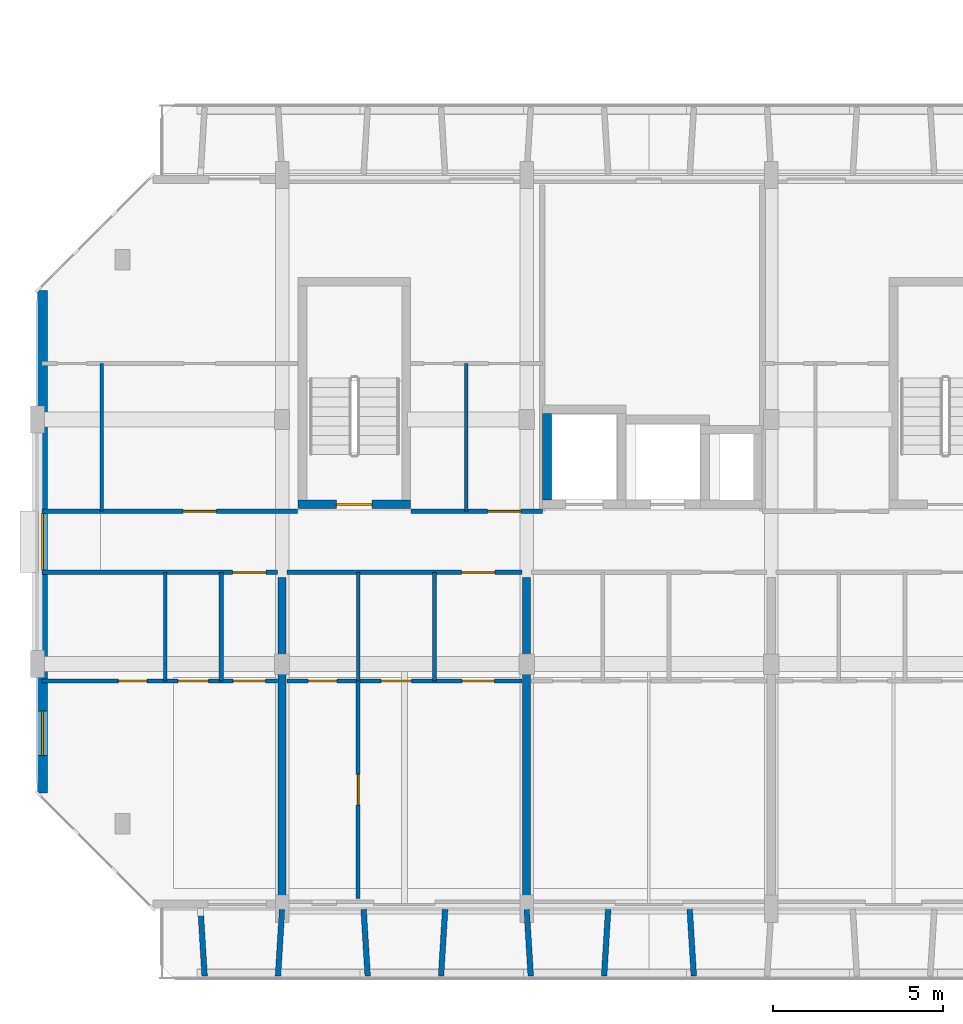
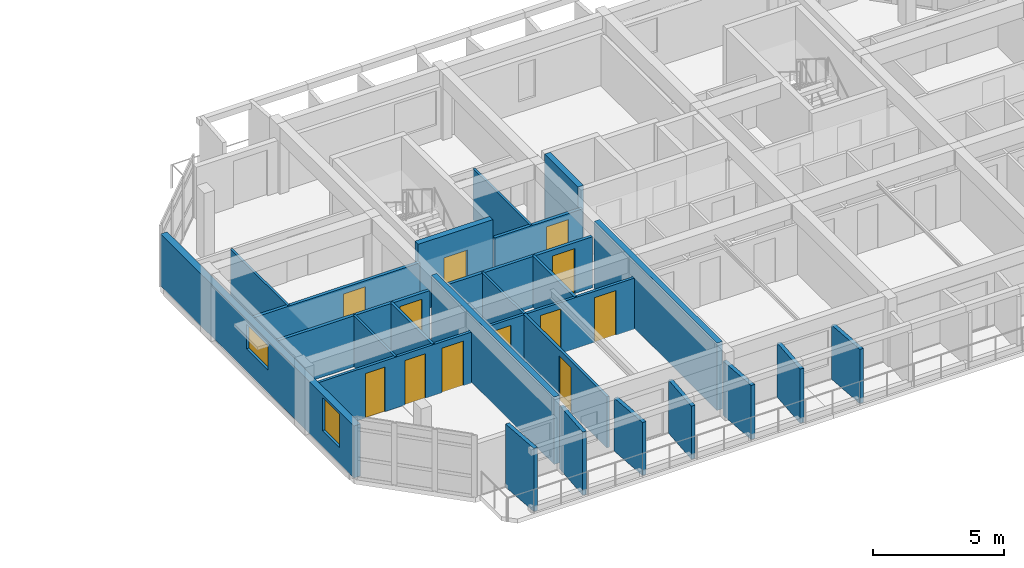
# One storey, part 15 of 44: 25 walls, 12 doors, 2 windows, 14 openings.
"""IFC4 building model written with IfcOpenShell, lengths in metres."""

from ifc_helpers import new_model, si_unit, direction, frame, frame_2d, origin, place, context, subcontext, project, spatial, rectangle, extrude, material, layer, layer_set, type_object, element, fill, save


model = new_model("IFC4")

# Units and contexts
model_context = context("Model", 3, precision=1e-05, world=origin(), true_north=direction((0.0, 1.0)))
body_context = subcontext(model_context, "Body", "Model", "MODEL_VIEW")
ifc_project = project(units=[si_unit("LENGTHUNIT", "METRE"), si_unit("AREAUNIT", "SQUARE_METRE"), si_unit("VOLUMEUNIT", "CUBIC_METRE"), si_unit("PLANEANGLEUNIT", "RADIAN"), si_unit("MASSUNIT", "GRAM", prefix="KILO")], contexts=[model_context])

# Site, building, storey
site_placement = place(None, origin())
site = spatial("IfcSite", under=ifc_project, at=site_placement, CompositionType="ELEMENT")
building_placement = place(site_placement, origin())
building = spatial("IfcBuilding", under=site, at=building_placement, Name="Ochrevale Crest", CompositionType="ELEMENT")
storey_placement = place(building_placement, frame((0.0, 0.0, 21.300048828125)))
storey = spatial("IfcBuildingStorey", under=building, at=storey_placement, Name="L06", CompositionType="ELEMENT", Elevation=21.300048828125)

# Wall, opening, door
ifc_material_1 = material(Name="Gypsum plasterboard", Category="gypsum")
ifc_layer_1 = layer(ifc_material_1, 0.139892578125)
ifc_layer_set_1 = layer_set([ifc_layer_1], Name="Gypsum plasterboard")
wall_type_1 = type_object("IfcWallType", Name="WL-COR-140", PredefinedType="PARTITIONING", material=ifc_layer_set_1)
wall_1_placement = place(storey_placement, frame((0.139892578125, 24.300048828125, 0.0), z_axis=(0.0, 0.0, 1.0), x_axis=(1.0, 0.0, 0.0)))
wall_1 = element("IfcWall", 1, at=wall_1_placement, inside=storey, type_object=wall_type_1, Name="Apartment A-L06-U1 corridor wall", PredefinedType="PARTITIONING", context=body_context, shape_type="SweptSolid", body=[
    extrude(rectangle(XDim=6.920166015625, YDim=0.139892578125, at=frame_2d((3.4599609375, 0.0))), origin(), (0.0, 0.0, 1.0), 2.3798828125),
])
opening_1_placement = place(wall_1_placement, frame((5.60498046875, 0.0, 0.0)))
opening_1 = element("IfcOpeningElement", 2, at=opening_1_placement, cuts=wall_1, Name="Opening FD01", PredefinedType="OPENING", context=body_context, shape_type="SweptSolid", body=[
    extrude(rectangle(XDim=0.97998046875, YDim=2.10009765625, at=frame_2d((0.489990234375, 1.050048828125))), frame((0.0, 0.080078125, 0.0), z_axis=(0.0, -1.0, 0.0), x_axis=(1.0, 0.0, 0.0)), (0.0, 0.0, 1.0), 0.159912109375),
])
ifc_material_2 = material(Name="Solid-core FSC hardwood", Category="wood")
door_type_1 = type_object("IfcDoorType", Name="DR-APT-950", OperationType="NOTDEFINED", PredefinedType="DOOR", material=ifc_material_2)
door_1_placement = place(opening_1_placement, origin())
door_1 = element("IfcDoor", 3, at=door_1_placement, inside=storey, type_object=door_type_1, Name="Apartment A-L06-U1 entrance door", OperationType="SINGLE_SWING_LEFT", OverallHeight=2.10009765625, OverallWidth=0.97998046875, PredefinedType="DOOR", context=body_context, shape_type="SweptSolid", body=[
    extrude(rectangle(XDim=0.97998046875, YDim=2.10009765625, at=frame_2d((0.489990234375, 1.050048828125))), frame((0.0, 0.02490234375, 0.0), z_axis=(0.0, -1.0, 0.0), x_axis=(1.0, 0.0, 0.0)), (0.0, 0.0, 1.0), 0.050048828125),
])
fill(opening_1, door_1)

wall_2_placement = place(storey_placement, frame((7.340087890625, 24.300048828125, 0.0), z_axis=(0.0, 0.0, 1.0), x_axis=(1.0, 0.0, 0.0)))
wall_2 = element("IfcWall", 4, at=wall_2_placement, inside=storey, type_object=wall_type_1, Name="Apartment A-L06-U2 corridor wall", PredefinedType="PARTITIONING", context=body_context, shape_type="SweptSolid", body=[
    extrude(rectangle(XDim=6.919921875, YDim=0.139892578125, at=frame_2d((3.4599609375, 0.0))), origin(), (0.0, 0.0, 1.0), 2.3798828125),
])
opening_2_placement = place(wall_2_placement, frame((5.14501953125, 0.0, 0.0)))
opening_2 = element("IfcOpeningElement", 5, at=opening_2_placement, cuts=wall_2, Name="Opening FD01", PredefinedType="OPENING", context=body_context, shape_type="SweptSolid", body=[
    extrude(rectangle(XDim=0.97998046875, YDim=2.10009765625, at=frame_2d((0.489990234375, 1.050048828125))), frame((0.0, 0.080078125, 0.0), z_axis=(0.0, -1.0, 0.0), x_axis=(1.0, 0.0, 0.0)), (0.0, 0.0, 1.0), 0.159912109375),
])
door_2_placement = place(opening_2_placement, origin())
door_2 = element("IfcDoor", 6, at=door_2_placement, inside=storey, type_object=door_type_1, Name="Apartment A-L06-U2 entrance door", OperationType="SINGLE_SWING_LEFT", OverallHeight=2.10009765625, OverallWidth=0.97998046875, PredefinedType="DOOR", context=body_context, shape_type="SweptSolid", body=[
    extrude(rectangle(XDim=0.97998046875, YDim=2.10009765625, at=frame_2d((0.489990234375, 1.050048828125))), frame((0.0, 0.02490234375, 0.0), z_axis=(0.0, -1.0, 0.0), x_axis=(1.0, 0.0, 0.0)), (0.0, 0.0, 1.0), 0.050048828125),
])
fill(opening_2, door_2)

wall_3_placement = place(storey_placement, frame((0.139892578125, 26.10009765625, 0.0), z_axis=(0.0, 0.0, 1.0), x_axis=(1.0, 0.0, 0.0)))
wall_3 = element("IfcWall", 7, at=wall_3_placement, inside=storey, type_object=wall_type_1, Name="Suite A-L06-CW corridor wall", PredefinedType="PARTITIONING", context=body_context, shape_type="SweptSolid", body=[
    extrude(rectangle(XDim=7.52001953125, YDim=0.139892578125, at=frame_2d((3.760009765625, 0.0))), origin(), (0.0, 0.0, 1.0), 2.3798828125),
])
opening_3_placement = place(wall_3_placement, frame((4.14501953125, 0.0, 0.0)))
opening_3 = element("IfcOpeningElement", 8, at=opening_3_placement, cuts=wall_3, Name="Opening FD01", PredefinedType="OPENING", context=body_context, shape_type="SweptSolid", body=[
    extrude(rectangle(XDim=0.97998046875, YDim=2.10009765625, at=frame_2d((0.489990234375, 1.050048828125))), frame((0.0, 0.080078125, 0.0), z_axis=(0.0, -1.0, 0.0), x_axis=(1.0, 0.0, 0.0)), (0.0, 0.0, 1.0), 0.159912109375),
])
door_3_placement = place(opening_3_placement, origin())
door_3 = element("IfcDoor", 9, at=door_3_placement, inside=storey, type_object=door_type_1, Name="Suite A-L06-CW entrance door", OperationType="SINGLE_SWING_LEFT", OverallHeight=2.10009765625, OverallWidth=0.97998046875, PredefinedType="DOOR", context=body_context, shape_type="SweptSolid", body=[
    extrude(rectangle(XDim=0.97998046875, YDim=2.10009765625, at=frame_2d((0.489990234375, 1.050048828125))), frame((0.0, 0.02490234375, 0.0), z_axis=(0.0, -1.0, 0.0), x_axis=(1.0, 0.0, 0.0)), (0.0, 0.0, 1.0), 0.050048828125),
])
fill(opening_3, door_3)

wall_4_placement = place(storey_placement, frame((10.989990234375, 26.10009765625, 0.0), z_axis=(0.0, 0.0, 1.0), x_axis=(1.0, 0.0, 0.0)))
wall_4 = element("IfcWall", 10, at=wall_4_placement, inside=storey, type_object=wall_type_1, Name="Suite A-L06-MW corridor wall", PredefinedType="PARTITIONING", context=body_context, shape_type="SweptSolid", body=[
    extrude(rectangle(XDim=3.8701171875, YDim=0.139892578125, at=frame_2d((1.93505859375, 0.0))), origin(), (0.0, 0.0, 1.0), 2.3798828125),
])
opening_4_placement = place(wall_4_placement, frame((3.23779296875, 0.0, 0.0), z_axis=(0.0, 0.0, 1.0), x_axis=(-1.0, 0.0, 0.0)))
opening_4 = element("IfcOpeningElement", 11, at=opening_4_placement, cuts=wall_4, Name="Opening FD01", PredefinedType="OPENING", context=body_context, shape_type="SweptSolid", body=[
    extrude(rectangle(XDim=0.97998046875, YDim=2.10009765625, at=frame_2d((0.489990234375, 1.050048828125))), frame((0.0, 0.080078125, 0.0), z_axis=(0.0, -1.0, 0.0), x_axis=(1.0, 0.0, 0.0)), (0.0, 0.0, 1.0), 0.159912109375),
])
door_4_placement = place(opening_4_placement, origin())
door_4 = element("IfcDoor", 12, at=door_4_placement, inside=storey, type_object=door_type_1, Name="Suite A-L06-MW entrance door", OperationType="SINGLE_SWING_RIGHT", OverallHeight=2.10009765625, OverallWidth=0.97998046875, PredefinedType="DOOR", context=body_context, shape_type="SweptSolid", body=[
    extrude(rectangle(XDim=0.97998046875, YDim=2.10009765625, at=frame_2d((0.489990234375, 1.050048828125))), frame((0.0, 0.02490234375, 0.0), z_axis=(0.0, -1.0, 0.0), x_axis=(1.0, 0.0, 0.0)), (0.0, 0.0, 1.0), 0.050048828125),
])
fill(opening_4, door_4)

ifc_material_3 = material(Name="Precast concrete C50/60", Category="concrete")
ifc_layer_2 = layer(ifc_material_3, 0.2548828125)
ifc_layer_set_2 = layer_set([ifc_layer_2], Name="Precast concrete C50/60")
wall_type_2 = type_object("IfcWallType", Name="WL-CORE-255", PredefinedType="SHEAR", material=ifc_layer_set_2)
wall_5_placement = place(storey_placement, frame((7.672607421875, 26.300048828125, 0.0), z_axis=(0.0, 0.0, 1.0), x_axis=(1.0, 0.0, 0.0)))
wall_5 = element("IfcWall", 13, at=wall_5_placement, inside=storey, type_object=wall_type_2, Name="Block A L06 Stair 1 precast core shear wall S", PredefinedType="SHEAR", context=body_context, shape_type="SweptSolid", body=[
    extrude(rectangle(XDim=3.304931640625, YDim=0.2548828125, at=frame_2d((1.65234375, 0.0))), origin(), (0.0, 0.0, 1.0), 3.14990234375),
])
opening_5_placement = place(wall_5_placement, frame((2.177490234375, 0.0, 0.0), z_axis=(0.0, 0.0, 1.0), x_axis=(-1.0, 0.0, 0.0)))
opening_5 = element("IfcOpeningElement", 14, at=opening_5_placement, cuts=wall_5, Name="Opening FD03", PredefinedType="OPENING", context=body_context, shape_type="SweptSolid", body=[
    extrude(rectangle(XDim=1.050048828125, YDim=2.1201171875, at=frame_2d((0.52490234375, 1.06005859375))), frame((0.0, 0.137451171875, 0.0), z_axis=(0.0, -1.0, 0.0), x_axis=(1.0, 0.0, 0.0)), (0.0, 0.0, 1.0), 0.27490234375),
])
door_type_2 = type_object("IfcDoorType", Name="DR-ST-1050", OperationType="NOTDEFINED", PredefinedType="DOOR", material=ifc_material_2)
door_5_placement = place(opening_5_placement, origin())
door_5 = element("IfcDoor", 15, at=door_5_placement, inside=storey, type_object=door_type_2, Name="Block A L06 fire stair 1 door", OperationType="SINGLE_SWING_RIGHT", OverallHeight=2.1201171875, OverallWidth=1.050048828125, PredefinedType="DOOR", context=body_context, shape_type="SweptSolid", body=[
    extrude(rectangle(XDim=1.050048828125, YDim=2.1201171875, at=frame_2d((0.52490234375, 1.06005859375))), frame((0.0, 0.02490234375, 0.0), z_axis=(0.0, -1.0, 0.0), x_axis=(1.0, 0.0, 0.0)), (0.0, 0.0, 1.0), 0.050048828125),
])
fill(opening_5, door_5)

# Wall
wall_6_placement = place(storey_placement, frame((15.0, 26.427490234375, 0.0), z_axis=(0.0, 0.0, 1.0), x_axis=(0.0, 1.0, 0.0)))
element("IfcWall", 16, at=wall_6_placement, inside=storey, type_object=wall_type_2, Name="Block A L06 Lift 1 precast shaft shear wall W", PredefinedType="SHEAR", context=body_context, shape_type="SweptSolid", body=[
    extrude(rectangle(XDim=2.544921875, YDim=0.2548828125, at=frame_2d((1.2724609375, 0.0))), origin(), (0.0, 0.0, 1.0), 3.14990234375),
])

# Wall, openings, windows
ifc_material_4 = material(Name="Clay face brickwork", Category="masonry")
ifc_layer_3 = layer(ifc_material_4, 0.2900390625)
ifc_layer_set_3 = layer_set([ifc_layer_3], Name="Clay face brickwork")
wall_type_3 = type_object("IfcWallType", Name="WL-EXT-BRICK-290", PredefinedType="SOLIDWALL", material=ifc_layer_set_3)
wall_7_placement = place(storey_placement, frame((0.14501953125, 32.60009765625, 0.0), z_axis=(0.0, 0.0, 1.0), x_axis=(0.0, -1.0, 0.0)))
wall_7 = element("IfcWall", 17, at=wall_7_placement, inside=storey, type_object=wall_type_3, Name="Block A L06 external facade wall E7", PredefinedType="SOLIDWALL", context=body_context, shape_type="SweptSolid", body=[
    extrude(rectangle(XDim=14.800048828125, YDim=0.2900390625, at=frame_2d((7.39990234375, 0.0))), origin(), (0.0, 0.0, 1.0), 2.429931640625),
])
opening_6_placement = place(wall_7_placement, frame((6.574951171875, 0.0, 1.050048828125)))
opening_6 = element("IfcOpeningElement", 18, at=opening_6_placement, cuts=wall_7, Name="Opening W19", PredefinedType="OPENING", context=body_context, shape_type="SweptSolid", body=[
    extrude(rectangle(XDim=1.64990234375, YDim=1.14990234375, at=frame_2d((0.824951171875, 0.574951171875))), frame((0.0, 0.155029296875, 0.0), z_axis=(0.0, -1.0, 0.0), x_axis=(1.0, 0.0, 0.0)), (0.0, 0.0, 1.0), 0.31005859375),
])
opening_7_placement = place(wall_7_placement, frame((12.385009765625, 0.0, 0.75)))
opening_7 = element("IfcOpeningElement", 19, at=opening_7_placement, cuts=wall_7, Name="Opening W30", PredefinedType="OPENING", context=body_context, shape_type="SweptSolid", body=[
    extrude(rectangle(XDim=1.300048828125, YDim=1.550048828125, at=frame_2d((0.64990234375, 0.77490234375))), frame((0.0, 0.155029296875, 0.0), z_axis=(0.0, -1.0, 0.0), x_axis=(1.0, 0.0, 0.0)), (0.0, 0.0, 1.0), 0.31005859375),
])
ifc_material_5 = material(Name="Anodised aluminium 6063-T5 and low-E double glazing", Category="aluminium")
window_type_1 = type_object("IfcWindowType", Name="WIN-W19", PartitioningType="SINGLE_PANEL", PredefinedType="WINDOW", material=ifc_material_5)
window_1_placement = place(opening_6_placement, origin())
window_1 = element("IfcWindow", 20, at=window_1_placement, inside=storey, type_object=window_type_1, Name="Block A L06 corridor end daylight window W", OverallHeight=1.14990234375, OverallWidth=1.64990234375, PartitioningType="SINGLE_PANEL", PredefinedType="WINDOW", context=body_context, shape_type="SweptSolid", body=[
    extrude(rectangle(XDim=1.64990234375, YDim=1.14990234375, at=frame_2d((0.824951171875, 0.574951171875))), frame((0.0, 0.030029296875, 0.0), z_axis=(0.0, -1.0, 0.0), x_axis=(1.0, 0.0, 0.0)), (0.0, 0.0, 1.0), 0.06005859375),
])
fill(opening_6, window_1)
window_type_2 = type_object("IfcWindowType", Name="WIN-W30", PartitioningType="SINGLE_PANEL", PredefinedType="WINDOW", material=ifc_material_5)
window_2_placement = place(opening_7_placement, origin())
window_2 = element("IfcWindow", 21, at=window_2_placement, inside=storey, type_object=window_type_2, Name="Block A L06 side suite window W", OverallHeight=1.550048828125, OverallWidth=1.300048828125, PartitioningType="SINGLE_PANEL", PredefinedType="WINDOW", context=body_context, shape_type="SweptSolid", body=[
    extrude(rectangle(XDim=1.300048828125, YDim=1.550048828125, at=frame_2d((0.64990234375, 0.77490234375))), frame((0.0, 0.030029296875, 0.0), z_axis=(0.0, -1.0, 0.0), x_axis=(1.0, 0.0, 0.0)), (0.0, 0.0, 1.0), 0.06005859375),
])
fill(opening_7, window_2)

# Walls
ifc_material_6 = material(Name="Precast concrete C40/50", Category="concrete")
ifc_layer_4 = layer(ifc_material_6, 0.1650390625)
ifc_layer_set_4 = layer_set([ifc_layer_4], Name="Precast concrete C40/50")
wall_type_4 = type_object("IfcWallType", Name="WL-HC-CHEEK-165", PredefinedType="ELEMENTEDWALL", material=ifc_layer_set_4)
for number, where, z_axis, x_axis, name in (
    (22, (4.800048828125, 14.3798828125, 0.0), (0.0, 0.0, 1.0), (0.061046865508, -0.998134900808, 0.0), "Block A L06 S precast honeycomb cheek 1"),
    (23, (7.199951171875, 14.3798828125, 0.0), (0.0, 0.0, 1.0), (-0.061046865508, -0.998134900808, 0.0), "Block A L06 S precast honeycomb cheek 2"),
):
    element("IfcWall", number, at=place(storey_placement, frame(where, z_axis=z_axis, x_axis=x_axis)), inside=storey, type_object=wall_type_4, Name=name, PredefinedType="ELEMENTEDWALL", context=body_context, shape_type="SweptSolid", body=[
        extrude(rectangle(XDim=1.963623046875, YDim=0.1650390625, at=frame_2d((0.98193359375, 0.0))), origin(), (0.0, 0.0, 1.0), 2.949951171875),
    ])
for number, where, z_axis, x_axis, name in (
    (24, (9.60009765625, 14.3798828125, 0.0), (0.0, 0.0, 1.0), (0.061046865508, -0.998134900808, 0.0), "Block A L06 S precast honeycomb cheek 3"),
    (25, (12.0, 14.3798828125, 0.0), (0.0, 0.0, 1.0), (-0.061170732449, -0.998127317276, 0.0), "Block A L06 S precast honeycomb cheek 4"),
):
    element("IfcWall", number, at=place(storey_placement, frame(where, z_axis=z_axis, x_axis=x_axis)), inside=storey, type_object=wall_type_4, Name=name, PredefinedType="ELEMENTEDWALL", context=body_context, shape_type="SweptSolid", body=[
        extrude(rectangle(XDim=1.963623046875, YDim=0.1650390625, at=frame_2d((0.98193359375, 0.0))), origin(), (0.0, 0.0, 1.0), 2.47998046875),
    ])
for number, where, z_axis, x_axis, name in (
    (26, (14.39990234375, 14.3798828125, 0.0), (0.0, 0.0, 1.0), (0.061170732449, -0.998127317276, 0.0), "Block A L06 S precast honeycomb cheek 5"),
    (27, (16.800048828125, 14.3798828125, 0.0), (0.0, 0.0, 1.0), (-0.061170732449, -0.998127317276, 0.0), "Block A L06 S precast honeycomb cheek 6"),
    (28, (19.199951171875, 14.3798828125, 0.0), (0.0, 0.0, 1.0), (0.061170732449, -0.998127317276, 0.0), "Block A L06 S precast honeycomb cheek 7"),
):
    element("IfcWall", number, at=place(storey_placement, frame(where, z_axis=z_axis, x_axis=x_axis)), inside=storey, type_object=wall_type_4, Name=name, PredefinedType="ELEMENTEDWALL", context=body_context, shape_type="SweptSolid", body=[
        extrude(rectangle(XDim=1.963623046875, YDim=0.1650390625, at=frame_2d((0.98193359375, 0.0))), origin(), (0.0, 0.0, 1.0), 2.530029296875),
    ])
ifc_layer_5 = layer(ifc_material_1, 0.1201171875)
ifc_layer_set_5 = layer_set([ifc_layer_5], Name="Gypsum plasterboard")
wall_type_5 = type_object("IfcWallType", Name="WL-PART-120", PredefinedType="PARTITIONING", material=ifc_layer_set_5)
wall_8_placement = place(storey_placement, frame((5.409912109375, 21.10009765625, 0.0), z_axis=(0.0, 0.0, 1.0), x_axis=(0.0, 1.0, 0.0)))
element("IfcWall", 29, at=wall_8_placement, inside=storey, type_object=wall_type_5, Name="Apartment A-L06-U1 kitchen-foyer wall", PredefinedType="PARTITIONING", context=body_context, shape_type="SweptSolid", body=[
    extrude(rectangle(XDim=3.199951171875, YDim=0.1201171875, at=frame_2d((1.60009765625, 0.0))), origin(), (0.0, 0.0, 1.0), 2.3798828125),
])

# Wall, openings, doors
wall_9_placement = place(storey_placement, frame((0.139892578125, 21.10009765625, 0.0), z_axis=(0.0, 0.0, 1.0), x_axis=(1.0, 0.0, 0.0)))
wall_9 = element("IfcWall", 30, at=wall_9_placement, inside=storey, type_object=wall_type_5, Name="Apartment A-L06-U1 central partition", PredefinedType="PARTITIONING", context=body_context, shape_type="SweptSolid", body=[
    extrude(rectangle(XDim=6.920166015625, YDim=0.1201171875, at=frame_2d((3.4599609375, 0.0))), origin(), (0.0, 0.0, 1.0), 2.3798828125),
])
opening_8_placement = place(wall_9_placement, frame((3.090087890625, 0.0, 0.0), z_axis=(0.0, 0.0, 1.0), x_axis=(-1.0, 0.0, 0.0)))
opening_8 = element("IfcOpeningElement", 31, at=opening_8_placement, cuts=wall_9, Name="Opening ID01", PredefinedType="OPENING", context=body_context, shape_type="SweptSolid", body=[
    extrude(rectangle(XDim=0.85009765625, YDim=2.080078125, at=frame_2d((0.425048828125, 1.0400390625))), frame((0.0, 0.070068359375, 0.0), z_axis=(0.0, -1.0, 0.0), x_axis=(1.0, 0.0, 0.0)), (0.0, 0.0, 1.0), 0.14013671875),
])
opening_9_placement = place(wall_9_placement, frame((3.9951171875, 0.0, 0.0)))
opening_9 = element("IfcOpeningElement", 32, at=opening_9_placement, cuts=wall_9, Name="Opening ID02", PredefinedType="OPENING", context=body_context, shape_type="SweptSolid", body=[
    extrude(rectangle(XDim=0.89990234375, YDim=2.080078125, at=frame_2d((0.449951171875, 1.0400390625))), frame((0.0, 0.070068359375, 0.0), z_axis=(0.0, -1.0, 0.0), x_axis=(1.0, 0.0, 0.0)), (0.0, 0.0, 1.0), 0.14013671875),
])
opening_10_placement = place(wall_9_placement, frame((6.570068359375, 0.0, 0.0), z_axis=(0.0, 0.0, 1.0), x_axis=(-1.0, 0.0, 0.0)))
opening_10 = element("IfcOpeningElement", 33, at=opening_10_placement, cuts=wall_9, Name="Opening ID06", PredefinedType="OPENING", context=body_context, shape_type="SweptSolid", body=[
    extrude(rectangle(XDim=0.949951171875, YDim=2.080078125, at=frame_2d((0.47509765625, 1.0400390625))), frame((0.0, 0.070068359375, 0.0), z_axis=(0.0, -1.0, 0.0), x_axis=(1.0, 0.0, 0.0)), (0.0, 0.0, 1.0), 0.14013671875),
])
door_type_3 = type_object("IfcDoorType", Name="DR-INT-900", OperationType="NOTDEFINED", PredefinedType="DOOR", material=ifc_material_2)
door_6_placement = place(opening_9_placement, origin())
door_6 = element("IfcDoor", 34, at=door_6_placement, inside=storey, type_object=door_type_3, Name="Apartment A-L06-U1 Kitchen door", OperationType="SINGLE_SWING_LEFT", OverallHeight=2.080078125, OverallWidth=0.89990234375, PredefinedType="DOOR", context=body_context, shape_type="SweptSolid", body=[
    extrude(rectangle(XDim=0.89990234375, YDim=2.080078125, at=frame_2d((0.449951171875, 1.0400390625))), frame((0.0, 0.02490234375, 0.0), z_axis=(0.0, -1.0, 0.0), x_axis=(1.0, 0.0, 0.0)), (0.0, 0.0, 1.0), 0.050048828125),
])
fill(opening_9, door_6)
door_type_4 = type_object("IfcDoorType", Name="DR-INT-950", OperationType="NOTDEFINED", PredefinedType="DOOR", material=ifc_material_2)
door_7_placement = place(opening_10_placement, origin())
door_7 = element("IfcDoor", 35, at=door_7_placement, inside=storey, type_object=door_type_4, Name="Apartment A-L06-U1 Living Foyer door", OperationType="SINGLE_SWING_RIGHT", OverallHeight=2.080078125, OverallWidth=0.949951171875, PredefinedType="DOOR", context=body_context, shape_type="SweptSolid", body=[
    extrude(rectangle(XDim=0.949951171875, YDim=2.080078125, at=frame_2d((0.47509765625, 1.0400390625))), frame((0.0, 0.02490234375, 0.0), z_axis=(0.0, -1.0, 0.0), x_axis=(1.0, 0.0, 0.0)), (0.0, 0.0, 1.0), 0.050048828125),
])
fill(opening_10, door_7)
door_type_5 = type_object("IfcDoorType", Name="DR-WC-850", OperationType="NOTDEFINED", PredefinedType="DOOR", material=ifc_material_2)
door_8_placement = place(opening_8_placement, origin())
door_8 = element("IfcDoor", 36, at=door_8_placement, inside=storey, type_object=door_type_5, Name="Apartment A-L06-U1 Bathroom door", OperationType="SINGLE_SWING_RIGHT", OverallHeight=2.080078125, OverallWidth=0.85009765625, PredefinedType="DOOR", context=body_context, shape_type="SweptSolid", body=[
    extrude(rectangle(XDim=0.85009765625, YDim=2.080078125, at=frame_2d((0.425048828125, 1.0400390625))), frame((0.0, 0.02490234375, 0.0), z_axis=(0.0, -1.0, 0.0), x_axis=(1.0, 0.0, 0.0)), (0.0, 0.0, 1.0), 0.050048828125),
])
fill(opening_8, door_8)

# Wall
wall_10_placement = place(storey_placement, frame((11.68994140625, 21.10009765625, 0.0), z_axis=(0.0, 0.0, 1.0), x_axis=(0.0, 1.0, 0.0)))
element("IfcWall", 37, at=wall_10_placement, inside=storey, type_object=wall_type_5, Name="Apartment A-L06-U2 kitchen-foyer wall", PredefinedType="PARTITIONING", context=body_context, shape_type="SweptSolid", body=[
    extrude(rectangle(XDim=3.199951171875, YDim=0.1201171875, at=frame_2d((1.60009765625, 0.0))), origin(), (0.0, 0.0, 1.0), 2.3798828125),
])

# Wall, openings, doors
wall_11_placement = place(storey_placement, frame((7.340087890625, 21.10009765625, 0.0), z_axis=(0.0, 0.0, 1.0), x_axis=(1.0, 0.0, 0.0)))
wall_11 = element("IfcWall", 38, at=wall_11_placement, inside=storey, type_object=wall_type_5, Name="Apartment A-L06-U2 central partition", PredefinedType="PARTITIONING", context=body_context, shape_type="SweptSolid", body=[
    extrude(rectangle(XDim=6.919921875, YDim=0.1201171875, at=frame_2d((3.4599609375, 0.0))), origin(), (0.0, 0.0, 1.0), 2.3798828125),
])
opening_11_placement = place(wall_11_placement, frame((1.47509765625, 0.0, 0.0), z_axis=(0.0, 0.0, 1.0), x_axis=(-1.0, 0.0, 0.0)))
opening_11 = element("IfcOpeningElement", 39, at=opening_11_placement, cuts=wall_11, Name="Opening ID01", PredefinedType="OPENING", context=body_context, shape_type="SweptSolid", body=[
    extrude(rectangle(XDim=0.85009765625, YDim=2.080078125, at=frame_2d((0.425048828125, 1.0400390625))), frame((0.0, 0.070068359375, 0.0), z_axis=(0.0, -1.0, 0.0), x_axis=(1.0, 0.0, 0.0)), (0.0, 0.0, 1.0), 0.14013671875),
])
opening_12_placement = place(wall_11_placement, frame((2.77490234375, 0.0, 0.0)))
opening_12 = element("IfcOpeningElement", 40, at=opening_12_placement, cuts=wall_11, Name="Opening ID02", PredefinedType="OPENING", context=body_context, shape_type="SweptSolid", body=[
    extrude(rectangle(XDim=0.89990234375, YDim=2.080078125, at=frame_2d((0.449951171875, 1.0400390625))), frame((0.0, 0.070068359375, 0.0), z_axis=(0.0, -1.0, 0.0), x_axis=(1.0, 0.0, 0.0)), (0.0, 0.0, 1.0), 0.14013671875),
])
opening_13_placement = place(wall_11_placement, frame((6.10986328125, 0.0, 0.0), z_axis=(0.0, 0.0, 1.0), x_axis=(-1.0, 0.0, 0.0)))
opening_13 = element("IfcOpeningElement", 41, at=opening_13_placement, cuts=wall_11, Name="Opening ID06", PredefinedType="OPENING", context=body_context, shape_type="SweptSolid", body=[
    extrude(rectangle(XDim=0.949951171875, YDim=2.080078125, at=frame_2d((0.47509765625, 1.0400390625))), frame((0.0, 0.070068359375, 0.0), z_axis=(0.0, -1.0, 0.0), x_axis=(1.0, 0.0, 0.0)), (0.0, 0.0, 1.0), 0.14013671875),
])
door_9_placement = place(opening_12_placement, origin())
door_9 = element("IfcDoor", 42, at=door_9_placement, inside=storey, type_object=door_type_3, Name="Apartment A-L06-U2 Kitchen door", OperationType="SINGLE_SWING_LEFT", OverallHeight=2.080078125, OverallWidth=0.89990234375, PredefinedType="DOOR", context=body_context, shape_type="SweptSolid", body=[
    extrude(rectangle(XDim=0.89990234375, YDim=2.080078125, at=frame_2d((0.449951171875, 1.0400390625))), frame((0.0, 0.02490234375, 0.0), z_axis=(0.0, -1.0, 0.0), x_axis=(1.0, 0.0, 0.0)), (0.0, 0.0, 1.0), 0.050048828125),
])
fill(opening_12, door_9)
door_10_placement = place(opening_13_placement, origin())
door_10 = element("IfcDoor", 43, at=door_10_placement, inside=storey, type_object=door_type_4, Name="Apartment A-L06-U2 Living Foyer door", OperationType="SINGLE_SWING_RIGHT", OverallHeight=2.080078125, OverallWidth=0.949951171875, PredefinedType="DOOR", context=body_context, shape_type="SweptSolid", body=[
    extrude(rectangle(XDim=0.949951171875, YDim=2.080078125, at=frame_2d((0.47509765625, 1.0400390625))), frame((0.0, 0.02490234375, 0.0), z_axis=(0.0, -1.0, 0.0), x_axis=(1.0, 0.0, 0.0)), (0.0, 0.0, 1.0), 0.050048828125),
])
fill(opening_13, door_10)
door_11_placement = place(opening_11_placement, origin())
door_11 = element("IfcDoor", 44, at=door_11_placement, inside=storey, type_object=door_type_5, Name="Apartment A-L06-U2 Bathroom door", OperationType="SINGLE_SWING_RIGHT", OverallHeight=2.080078125, OverallWidth=0.85009765625, PredefinedType="DOOR", context=body_context, shape_type="SweptSolid", body=[
    extrude(rectangle(XDim=0.85009765625, YDim=2.080078125, at=frame_2d((0.425048828125, 1.0400390625))), frame((0.0, 0.02490234375, 0.0), z_axis=(0.0, -1.0, 0.0), x_axis=(1.0, 0.0, 0.0)), (0.0, 0.0, 1.0), 0.050048828125),
])
fill(opening_11, door_11)

# Wall, opening, door
wall_12_placement = place(storey_placement, frame((9.43994140625, 14.699951171875, 0.0), z_axis=(0.0, 0.0, 1.0), x_axis=(0.0, 1.0, 0.0)))
wall_12 = element("IfcWall", 45, at=wall_12_placement, inside=storey, type_object=wall_type_5, Name="Apartment A-L06-U2 bedroom partition", PredefinedType="PARTITIONING", context=body_context, shape_type="SweptSolid", body=[
    extrude(rectangle(XDim=6.400146484375, YDim=0.1201171875, at=frame_2d((3.2001953125, 0.0))), origin(), (0.0, 0.0, 1.0), 2.3798828125),
])
opening_14_placement = place(wall_12_placement, frame((2.75, 0.0, 0.0)))
opening_14 = element("IfcOpeningElement", 46, at=opening_14_placement, cuts=wall_12, Name="Opening ID02", PredefinedType="OPENING", context=body_context, shape_type="SweptSolid", body=[
    extrude(rectangle(XDim=0.89990234375, YDim=2.080078125, at=frame_2d((0.449951171875, 1.0400390625))), frame((0.0, 0.070068359375, 0.0), z_axis=(0.0, -1.0, 0.0), x_axis=(1.0, 0.0, 0.0)), (0.0, 0.0, 1.0), 0.14013671875),
])
door_12_placement = place(opening_14_placement, origin())
door_12 = element("IfcDoor", 47, at=door_12_placement, inside=storey, type_object=door_type_3, Name="Apartment A-L06-U2 Master Bedroom door", OperationType="SINGLE_SWING_LEFT", OverallHeight=2.080078125, OverallWidth=0.89990234375, PredefinedType="DOOR", context=body_context, shape_type="SweptSolid", body=[
    extrude(rectangle(XDim=0.89990234375, YDim=2.080078125, at=frame_2d((0.449951171875, 1.0400390625))), frame((0.0, 0.02490234375, 0.0), z_axis=(0.0, -1.0, 0.0), x_axis=(1.0, 0.0, 0.0)), (0.0, 0.0, 1.0), 0.050048828125),
])
fill(opening_14, door_12)

# Walls
ifc_layer_6 = layer(ifc_material_3, 0.239990234375)
ifc_layer_set_6 = layer_set([ifc_layer_6], Name="Precast concrete C50/60")
wall_type_6 = type_object("IfcWallType", Name="WL-SHEAR-240", PredefinedType="SHEAR", material=ifc_layer_set_6)
for number, where, z_axis, x_axis, name in (
    (48, (7.199951171875, 14.75, 0.0), (0.0, 0.0, 1.0), (0.0, 1.0, 0.0), "Block A L06 load-bearing precast cross-wall X=7.2"),
    (49, (14.39990234375, 14.75, 0.0), (0.0, 0.0, 1.0), (0.0, 1.0, 0.0), "Block A L06 load-bearing precast cross-wall X=14.4"),
):
    element("IfcWall", number, at=place(storey_placement, frame(where, z_axis=z_axis, x_axis=x_axis)), inside=storey, type_object=wall_type_6, Name=name, PredefinedType="SHEAR", context=body_context, shape_type="SweptSolid", body=[
        extrude(rectangle(XDim=9.39990234375, YDim=0.239990234375, at=frame_2d((4.699951171875, 0.0))), origin(), (0.0, 0.0, 1.0), 3.14990234375),
    ])
ifc_layer_7 = layer(ifc_material_1, 0.10009765625)
ifc_layer_set_7 = layer_set([ifc_layer_7], Name="Gypsum plasterboard")
wall_type_7 = type_object("IfcWallType", Name="WL-WET-100", PredefinedType="PARTITIONING", material=ifc_layer_set_7)
for number, where, z_axis, x_axis, name in (
    (50, (3.760009765625, 21.10009765625, 0.0), (0.0, 0.0, 1.0), (0.0, 1.0, 0.0), "Apartment A-L06-U1 bath-kitchen wall"),
    (51, (9.43994140625, 21.10009765625, 0.0), (0.0, 0.0, 1.0), (0.0, 1.0, 0.0), "Apartment A-L06-U2 bath-kitchen wall"),
):
    element("IfcWall", number, at=place(storey_placement, frame(where, z_axis=z_axis, x_axis=x_axis)), inside=storey, type_object=wall_type_7, Name=name, PredefinedType="PARTITIONING", context=body_context, shape_type="SweptSolid", body=[
        extrude(rectangle(XDim=3.199951171875, YDim=0.10009765625, at=frame_2d((1.60009765625, 0.0))), origin(), (0.0, 0.0, 1.0), 2.3798828125),
    ])
for number, where, z_axis, x_axis, name in (
    (52, (1.889892578125, 26.10009765625, 0.0), (0.0, 0.0, 1.0), (0.0, 1.0, 0.0), "Suite A-L06-CW bathroom divider"),
    (53, (12.615478515625, 26.10009765625, 0.0), (0.0, 0.0, 1.0), (0.0, 1.0, 0.0), "Suite A-L06-MW bathroom divider"),
):
    element("IfcWall", number, at=place(storey_placement, frame(where, z_axis=z_axis, x_axis=x_axis)), inside=storey, type_object=wall_type_7, Name=name, PredefinedType="PARTITIONING", context=body_context, shape_type="SweptSolid", body=[
        extrude(rectangle(XDim=4.349853515625, YDim=0.10009765625, at=frame_2d((2.1748046875, 0.0))), origin(), (0.0, 0.0, 1.0), 2.3798828125),
    ])

save(model, "model.ifc")
